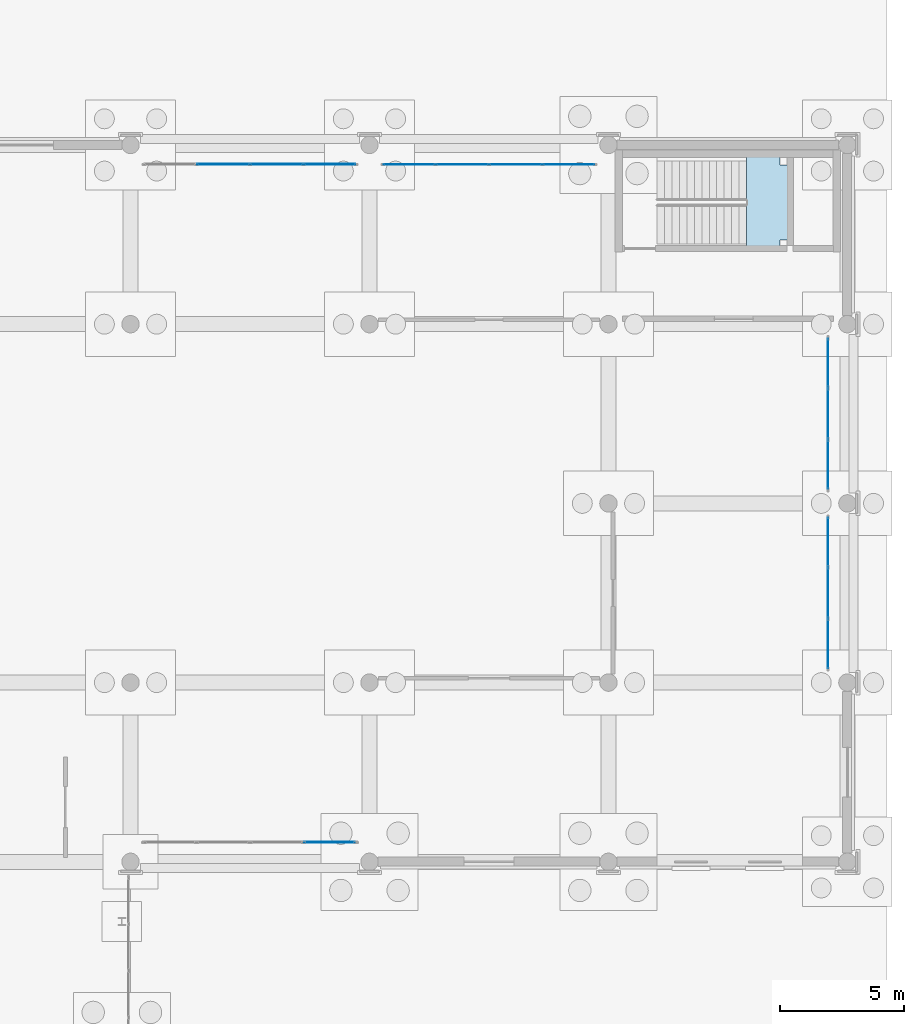
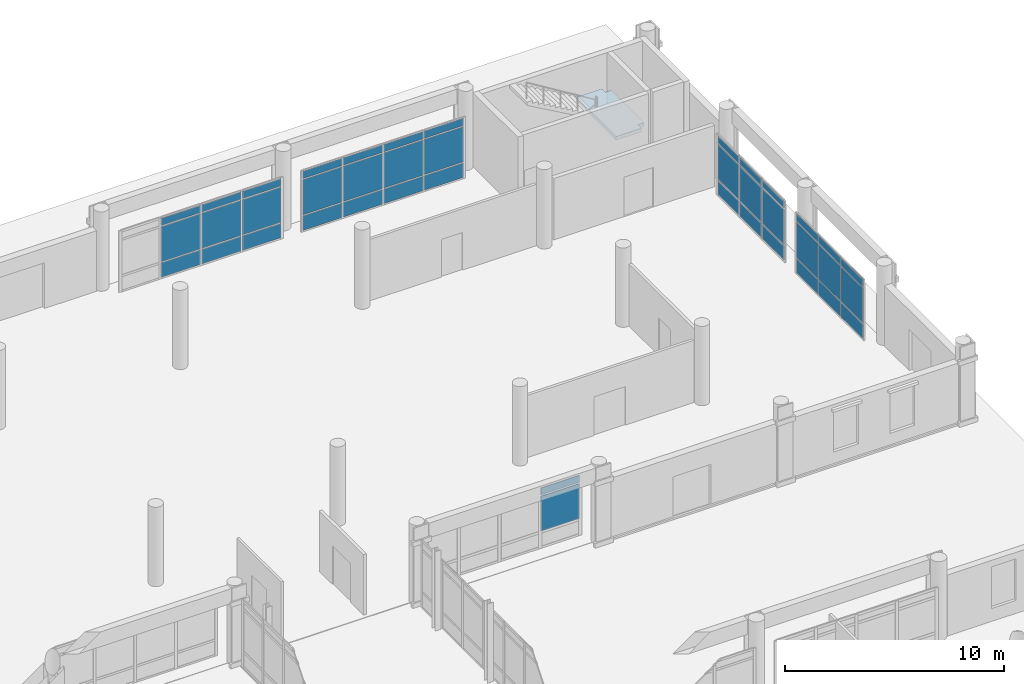
# One storey, part 157 of 196: 41 plates, 1 slab, 6 elements without a shape of their own.
"""IFC4 building model written with IfcOpenShell, lengths in metres."""

from ifc_helpers import new_model, si_unit, direction, frame, origin, origin_2d, place, context, subcontext, project, spatial, polyline, rectangle, outline, extrude, material, layer, layer_set, type_object, element, aggregate, save


model = new_model("IFC4")

# Units and contexts
model_context = context("Model", 3, precision=1e-05, world=origin(), true_north=direction((0.0, 1.0)))
body_context = subcontext(model_context, "Body", "Model", "MODEL_VIEW")
ifc_project = project(units=[si_unit("LENGTHUNIT", "METRE"), si_unit("AREAUNIT", "SQUARE_METRE"), si_unit("VOLUMEUNIT", "CUBIC_METRE"), si_unit("PLANEANGLEUNIT", "RADIAN"), si_unit("MASSUNIT", "GRAM", prefix="KILO")], contexts=[model_context])

# Site, building, storey
site_placement = place(None, origin())
site = spatial("IfcSite", under=ifc_project, at=site_placement, CompositionType="ELEMENT")
building_placement = place(site_placement, origin())
building = spatial("IfcBuilding", under=site, at=building_placement, Name="Asteropetra Specialist Clinic", CompositionType="ELEMENT")
storey_placement = place(building_placement, origin())
storey = spatial("IfcBuildingStorey", under=building, at=storey_placement, Name="L00", CompositionType="ELEMENT", Elevation=0.0)

# Curtain wall, plates
ifc_material_1 = material(Name="Aluminium and low-E glass", Category="aluminium")
ifc_layer_1 = layer(ifc_material_1, 0.14990234375)
ifc_layer_set_1 = layer_set([ifc_layer_1], Name="Aluminium and low-E glass")
curtain_wall_type_1 = type_object("IfcCurtainWallType", Name="CW-SYS-11", PredefinedType="USERDEFINED", material=ifc_layer_set_1)
curtain_wall_1_placement = place(storey_placement, origin())
curtain_wall_1 = element("IfcCurtainWall", 1, at=curtain_wall_1_placement, inside=storey, type_object=curtain_wall_type_1, Name="Curtain Wall CW-212", ObjectType="STICK GLAZED COLONNADE", PredefinedType="USERDEFINED")
ifc_material_2 = material(Name="Low-E double glazing", Category="glass")
ifc_layer_2 = layer(ifc_material_2, 0.028076171875)
ifc_layer_set_2 = layer_set([ifc_layer_2], Name="Low-E double glazing")
plate_type_1 = type_object("IfcPlateType", Name="CWP-GLZ-28", PredefinedType="CURTAIN_PANEL", material=ifc_layer_set_2)
plate_1_placement = place(storey_placement, frame((142.402587890625, 104.820068359375, 0.06005859375), z_axis=(0.0, 0.0, 1.0), x_axis=(-1.0, 0.0, 0.0)))
plate_1 = element("IfcPlate", 2, at=plate_1_placement, type_object=plate_type_1, Name="CW-212 panel 1.1", PredefinedType="CURTAIN_PANEL", context=body_context, shape_type="SweptSolid", body=[
    extrude(rectangle(XDim=2.054931640625, YDim=0.028076171875, at=origin_2d()), origin(), (0.0, 0.0, 1.0), 0.81005859375),
])
plate_2_placement = place(storey_placement, frame((142.402587890625, 104.820068359375, 0.929931640625), z_axis=(0.0, 0.0, 1.0), x_axis=(-1.0, 0.0, 0.0)))
plate_2 = element("IfcPlate", 3, at=plate_2_placement, type_object=plate_type_1, Name="CW-212 panel 1.2", PredefinedType="CURTAIN_PANEL", context=body_context, shape_type="SweptSolid", body=[
    extrude(rectangle(XDim=2.054931640625, YDim=0.028076171875, at=origin_2d()), origin(), (0.0, 0.0, 1.0), 1.9599609375),
])
plate_3_placement = place(storey_placement, frame((142.402587890625, 104.820068359375, 2.9501953125), z_axis=(0.0, 0.0, 1.0), x_axis=(-1.0, 0.0, 0.0)))
plate_3 = element("IfcPlate", 4, at=plate_3_placement, type_object=plate_type_1, Name="CW-212 panel 1.3", PredefinedType="CURTAIN_PANEL", context=body_context, shape_type="SweptSolid", body=[
    extrude(rectangle(XDim=2.054931640625, YDim=0.028076171875, at=origin_2d()), origin(), (0.0, 0.0, 1.0), 0.409912109375),
])
plate_4_placement = place(storey_placement, frame((140.2724609375, 104.820068359375, 0.06005859375), z_axis=(0.0, 0.0, 1.0), x_axis=(-1.0, 0.0, 0.0)))
plate_4 = element("IfcPlate", 5, at=plate_4_placement, type_object=plate_type_1, Name="CW-212 panel 2.1", PredefinedType="CURTAIN_PANEL", context=body_context, shape_type="SweptSolid", body=[
    extrude(rectangle(XDim=2.0849609375, YDim=0.028076171875, at=origin_2d()), origin(), (0.0, 0.0, 1.0), 0.81005859375),
])
plate_5_placement = place(storey_placement, frame((140.2724609375, 104.820068359375, 0.929931640625), z_axis=(0.0, 0.0, 1.0), x_axis=(-1.0, 0.0, 0.0)))
plate_5 = element("IfcPlate", 6, at=plate_5_placement, type_object=plate_type_1, Name="CW-212 panel 2.2", PredefinedType="CURTAIN_PANEL", context=body_context, shape_type="SweptSolid", body=[
    extrude(rectangle(XDim=2.0849609375, YDim=0.028076171875, at=origin_2d()), origin(), (0.0, 0.0, 1.0), 1.9599609375),
])
plate_6_placement = place(storey_placement, frame((140.2724609375, 104.820068359375, 2.9501953125), z_axis=(0.0, 0.0, 1.0), x_axis=(-1.0, 0.0, 0.0)))
plate_6 = element("IfcPlate", 7, at=plate_6_placement, type_object=plate_type_1, Name="CW-212 panel 2.3", PredefinedType="CURTAIN_PANEL", context=body_context, shape_type="SweptSolid", body=[
    extrude(rectangle(XDim=2.0849609375, YDim=0.028076171875, at=origin_2d()), origin(), (0.0, 0.0, 1.0), 0.409912109375),
])
plate_7_placement = place(storey_placement, frame((138.12744140625, 104.820068359375, 0.06005859375), z_axis=(0.0, 0.0, 1.0), x_axis=(-1.0, 0.0, 0.0)))
plate_7 = element("IfcPlate", 8, at=plate_7_placement, type_object=plate_type_1, Name="CW-212 panel 3.1", PredefinedType="CURTAIN_PANEL", context=body_context, shape_type="SweptSolid", body=[
    extrude(rectangle(XDim=2.0849609375, YDim=0.028076171875, at=origin_2d()), origin(), (0.0, 0.0, 1.0), 0.81005859375),
])
plate_8_placement = place(storey_placement, frame((138.12744140625, 104.820068359375, 0.929931640625), z_axis=(0.0, 0.0, 1.0), x_axis=(-1.0, 0.0, 0.0)))
plate_8 = element("IfcPlate", 9, at=plate_8_placement, type_object=plate_type_1, Name="CW-212 panel 3.2", PredefinedType="CURTAIN_PANEL", context=body_context, shape_type="SweptSolid", body=[
    extrude(rectangle(XDim=2.0849609375, YDim=0.028076171875, at=origin_2d()), origin(), (0.0, 0.0, 1.0), 1.9599609375),
])
plate_9_placement = place(storey_placement, frame((138.12744140625, 104.820068359375, 2.9501953125), z_axis=(0.0, 0.0, 1.0), x_axis=(-1.0, 0.0, 0.0)))
plate_9 = element("IfcPlate", 10, at=plate_9_placement, type_object=plate_type_1, Name="CW-212 panel 3.3", PredefinedType="CURTAIN_PANEL", context=body_context, shape_type="SweptSolid", body=[
    extrude(rectangle(XDim=2.0849609375, YDim=0.028076171875, at=origin_2d()), origin(), (0.0, 0.0, 1.0), 0.409912109375),
])
plate_10_placement = place(storey_placement, frame((135.99755859375, 104.820068359375, 0.06005859375), z_axis=(0.0, 0.0, 1.0), x_axis=(-1.0, 0.0, 0.0)))
plate_10 = element("IfcPlate", 11, at=plate_10_placement, type_object=plate_type_1, Name="CW-212 panel 4.1", PredefinedType="CURTAIN_PANEL", context=body_context, shape_type="SweptSolid", body=[
    extrude(rectangle(XDim=2.054931640625, YDim=0.028076171875, at=origin_2d()), origin(), (0.0, 0.0, 1.0), 0.81005859375),
])
plate_11_placement = place(storey_placement, frame((135.99755859375, 104.820068359375, 0.929931640625), z_axis=(0.0, 0.0, 1.0), x_axis=(-1.0, 0.0, 0.0)))
plate_11 = element("IfcPlate", 12, at=plate_11_placement, type_object=plate_type_1, Name="CW-212 panel 4.2", PredefinedType="CURTAIN_PANEL", context=body_context, shape_type="SweptSolid", body=[
    extrude(rectangle(XDim=2.054931640625, YDim=0.028076171875, at=origin_2d()), origin(), (0.0, 0.0, 1.0), 1.9599609375),
])
plate_12_placement = place(storey_placement, frame((135.99755859375, 104.820068359375, 2.9501953125), z_axis=(0.0, 0.0, 1.0), x_axis=(-1.0, 0.0, 0.0)))
plate_12 = element("IfcPlate", 13, at=plate_12_placement, type_object=plate_type_1, Name="CW-212 panel 4.3", PredefinedType="CURTAIN_PANEL", context=body_context, shape_type="SweptSolid", body=[
    extrude(rectangle(XDim=2.054931640625, YDim=0.028076171875, at=origin_2d()), origin(), (0.0, 0.0, 1.0), 0.409912109375),
])
aggregate(curtain_wall_1, [plate_1, plate_2, plate_3, plate_4, plate_5, plate_6, plate_7, plate_8, plate_9, plate_10, plate_11, plate_12])

ifc_material_3 = material(Name="Aluminium and low-E glass", Category="aluminium")
ifc_layer_3 = layer(ifc_material_3, 0.179931640625)
ifc_layer_set_3 = layer_set([ifc_layer_3], Name="Aluminium and low-E glass")
curtain_wall_type_2 = type_object("IfcCurtainWallType", Name="CW-SYS-01", PredefinedType="USERDEFINED", material=ifc_layer_set_3)
curtain_wall_2_placement = place(storey_placement, origin())
curtain_wall_2 = element("IfcCurtainWall", 14, at=curtain_wall_2_placement, inside=storey, type_object=curtain_wall_type_2, Name="Curtain Wall CW-216", ObjectType="UNITISED CURTAIN WALL", PredefinedType="USERDEFINED")
plate_13_placement = place(storey_placement, frame((152.820068359375, 92.7587890625, 0.074951171875), z_axis=(0.0, 0.0, 1.0), x_axis=(0.0, 1.0, 0.0)))
plate_13 = element("IfcPlate", 15, at=plate_13_placement, type_object=plate_type_1, Name="CW-216 panel 1.1", PredefinedType="CURTAIN_PANEL", context=body_context, shape_type="SweptSolid", body=[
    extrude(rectangle(XDim=1.947509765625, YDim=0.028076171875, at=origin_2d()), origin(), (0.0, 0.0, 1.0), 0.78759765625),
])
plate_14_placement = place(storey_placement, frame((152.820068359375, 92.7587890625, 0.9375), z_axis=(0.0, 0.0, 1.0), x_axis=(0.0, 1.0, 0.0)))
plate_14 = element("IfcPlate", 16, at=plate_14_placement, type_object=plate_type_1, Name="CW-216 panel 1.2", PredefinedType="CURTAIN_PANEL", context=body_context, shape_type="SweptSolid", body=[
    extrude(rectangle(XDim=1.947509765625, YDim=0.028076171875, at=origin_2d()), origin(), (0.0, 0.0, 1.0), 1.945068359375),
])
plate_15_placement = place(storey_placement, frame((152.820068359375, 92.7587890625, 2.95751953125), z_axis=(0.0, 0.0, 1.0), x_axis=(0.0, 1.0, 0.0)))
plate_15 = element("IfcPlate", 17, at=plate_15_placement, type_object=plate_type_1, Name="CW-216 panel 1.3", PredefinedType="CURTAIN_PANEL", context=body_context, shape_type="SweptSolid", body=[
    extrude(rectangle(XDim=1.947509765625, YDim=0.028076171875, at=origin_2d()), origin(), (0.0, 0.0, 1.0), 0.387451171875),
])
plate_16_placement = place(storey_placement, frame((152.820068359375, 94.800048828125, 0.074951171875), z_axis=(0.0, 0.0, 1.0), x_axis=(0.0, 1.0, 0.0)))
plate_16 = element("IfcPlate", 18, at=plate_16_placement, type_object=plate_type_1, Name="CW-216 panel 2.1", PredefinedType="CURTAIN_PANEL", context=body_context, shape_type="SweptSolid", body=[
    extrude(rectangle(XDim=1.985107421875, YDim=0.028076171875, at=origin_2d()), origin(), (0.0, 0.0, 1.0), 0.78759765625),
])
plate_17_placement = place(storey_placement, frame((152.820068359375, 94.800048828125, 0.9375), z_axis=(0.0, 0.0, 1.0), x_axis=(0.0, 1.0, 0.0)))
plate_17 = element("IfcPlate", 19, at=plate_17_placement, type_object=plate_type_1, Name="CW-216 panel 2.2", PredefinedType="CURTAIN_PANEL", context=body_context, shape_type="SweptSolid", body=[
    extrude(rectangle(XDim=1.985107421875, YDim=0.028076171875, at=origin_2d()), origin(), (0.0, 0.0, 1.0), 1.945068359375),
])
plate_18_placement = place(storey_placement, frame((152.820068359375, 94.800048828125, 2.95751953125), z_axis=(0.0, 0.0, 1.0), x_axis=(0.0, 1.0, 0.0)))
plate_18 = element("IfcPlate", 20, at=plate_18_placement, type_object=plate_type_1, Name="CW-216 panel 2.3", PredefinedType="CURTAIN_PANEL", context=body_context, shape_type="SweptSolid", body=[
    extrude(rectangle(XDim=1.985107421875, YDim=0.028076171875, at=origin_2d()), origin(), (0.0, 0.0, 1.0), 0.387451171875),
])
plate_19_placement = place(storey_placement, frame((152.820068359375, 96.84130859375, 0.074951171875), z_axis=(0.0, 0.0, 1.0), x_axis=(0.0, 1.0, 0.0)))
plate_19 = element("IfcPlate", 21, at=plate_19_placement, type_object=plate_type_1, Name="CW-216 panel 3.1", PredefinedType="CURTAIN_PANEL", context=body_context, shape_type="SweptSolid", body=[
    extrude(rectangle(XDim=1.947509765625, YDim=0.028076171875, at=origin_2d()), origin(), (0.0, 0.0, 1.0), 0.78759765625),
])
plate_20_placement = place(storey_placement, frame((152.820068359375, 96.84130859375, 0.9375), z_axis=(0.0, 0.0, 1.0), x_axis=(0.0, 1.0, 0.0)))
plate_20 = element("IfcPlate", 22, at=plate_20_placement, type_object=plate_type_1, Name="CW-216 panel 3.2", PredefinedType="CURTAIN_PANEL", context=body_context, shape_type="SweptSolid", body=[
    extrude(rectangle(XDim=1.947509765625, YDim=0.028076171875, at=origin_2d()), origin(), (0.0, 0.0, 1.0), 1.945068359375),
])
plate_21_placement = place(storey_placement, frame((152.820068359375, 96.84130859375, 2.95751953125), z_axis=(0.0, 0.0, 1.0), x_axis=(0.0, 1.0, 0.0)))
plate_21 = element("IfcPlate", 23, at=plate_21_placement, type_object=plate_type_1, Name="CW-216 panel 3.3", PredefinedType="CURTAIN_PANEL", context=body_context, shape_type="SweptSolid", body=[
    extrude(rectangle(XDim=1.947509765625, YDim=0.028076171875, at=origin_2d()), origin(), (0.0, 0.0, 1.0), 0.387451171875),
])
aggregate(curtain_wall_2, [plate_13, plate_14, plate_15, plate_16, plate_17, plate_18, plate_19, plate_20, plate_21])

ifc_material_4 = material(Name="Aluminium and low-E glass", Category="aluminium")
ifc_layer_4 = layer(ifc_material_4, 0.135009765625)
ifc_layer_set_4 = layer_set([ifc_layer_4], Name="Aluminium and low-E glass")
curtain_wall_type_3 = type_object("IfcCurtainWallType", Name="CW-SYS-09", PredefinedType="USERDEFINED", material=ifc_layer_set_4)
curtain_wall_3_placement = place(storey_placement, origin())
curtain_wall_3 = element("IfcCurtainWall", 24, at=curtain_wall_3_placement, inside=storey, type_object=curtain_wall_type_3, Name="Curtain Wall CW-210", ObjectType="STICK GLAZED COLONNADE", PredefinedType="USERDEFINED")
ifc_material_5 = material(Name="Solar-control triple glazing", Category="glass")
ifc_layer_5 = layer(ifc_material_5, 0.035888671875)
ifc_layer_set_5 = layer_set([ifc_layer_5], Name="Solar-control triple glazing")
plate_type_2 = type_object("IfcPlateType", Name="CWP-GLZ-36", PredefinedType="CURTAIN_PANEL", material=ifc_layer_set_5)
plate_22_placement = place(storey_placement, frame((132.798828125, 77.580078125, 0.9375), z_axis=(0.0, 0.0, 1.0), x_axis=(1.0, 0.0, 0.0)))
plate_22 = element("IfcPlate", 25, at=plate_22_placement, type_object=plate_type_2, Name="CW-210 panel 4.2", PredefinedType="CURTAIN_PANEL", context=body_context, shape_type="SweptSolid", body=[
    extrude(rectangle(XDim=2.032470703125, YDim=0.035888671875, at=origin_2d()), origin(), (0.0, 0.0, 1.0), 1.945068359375),
])
plate_23_placement = place(storey_placement, frame((132.798828125, 77.580078125, 2.95751953125), z_axis=(0.0, 0.0, 1.0), x_axis=(1.0, 0.0, 0.0)))
plate_23 = element("IfcPlate", 26, at=plate_23_placement, type_object=plate_type_2, Name="CW-210 panel 4.3", PredefinedType="CURTAIN_PANEL", context=body_context, shape_type="SweptSolid", body=[
    extrude(rectangle(XDim=2.032470703125, YDim=0.035888671875, at=origin_2d()), origin(), (0.0, 0.0, 1.0), 0.387451171875),
])
aggregate(curtain_wall_3, [plate_22, plate_23])

ifc_material_6 = material(Name="Aluminium and low-E glass", Category="aluminium")
ifc_layer_6 = layer(ifc_material_6, 0.179931640625)
ifc_layer_set_6 = layer_set([ifc_layer_6], Name="Aluminium and low-E glass")
curtain_wall_type_4 = type_object("IfcCurtainWallType", Name="CW-SYS-10", PredefinedType="USERDEFINED", material=ifc_layer_set_6)
curtain_wall_4_placement = place(storey_placement, origin())
curtain_wall_4 = element("IfcCurtainWall", 27, at=curtain_wall_4_placement, inside=storey, type_object=curtain_wall_type_4, Name="Curtain Wall CW-214", ObjectType="STICK GLAZED COLONNADE", PredefinedType="USERDEFINED")
plate_24_placement = place(storey_placement, frame((152.820068359375, 85.55615234375, 0.06494140625), z_axis=(0.0, 0.0, 1.0), x_axis=(0.0, 1.0, 0.0)))
plate_24 = element("IfcPlate", 28, at=plate_24_placement, type_object=plate_type_2, Name="CW-214 panel 1.1", PredefinedType="CURTAIN_PANEL", context=body_context, shape_type="SweptSolid", body=[
    extrude(rectangle(XDim=1.96240234375, YDim=0.035888671875, at=origin_2d()), origin(), (0.0, 0.0, 1.0), 0.802490234375),
])
plate_25_placement = place(storey_placement, frame((152.820068359375, 85.55615234375, 0.932373046875), z_axis=(0.0, 0.0, 1.0), x_axis=(0.0, 1.0, 0.0)))
plate_25 = element("IfcPlate", 29, at=plate_25_placement, type_object=plate_type_2, Name="CW-214 panel 1.2", PredefinedType="CURTAIN_PANEL", context=body_context, shape_type="SweptSolid", body=[
    extrude(rectangle(XDim=1.96240234375, YDim=0.035888671875, at=origin_2d()), origin(), (0.0, 0.0, 1.0), 1.955078125),
])
plate_26_placement = place(storey_placement, frame((152.820068359375, 85.55615234375, 2.95263671875), z_axis=(0.0, 0.0, 1.0), x_axis=(0.0, 1.0, 0.0)))
plate_26 = element("IfcPlate", 30, at=plate_26_placement, type_object=plate_type_2, Name="CW-214 panel 1.3", PredefinedType="CURTAIN_PANEL", context=body_context, shape_type="SweptSolid", body=[
    extrude(rectangle(XDim=1.96240234375, YDim=0.035888671875, at=origin_2d()), origin(), (0.0, 0.0, 1.0), 0.402587890625),
])
plate_27_placement = place(storey_placement, frame((152.820068359375, 87.60009765625, 0.06494140625), z_axis=(0.0, 0.0, 1.0), x_axis=(0.0, 1.0, 0.0)))
plate_27 = element("IfcPlate", 31, at=plate_27_placement, type_object=plate_type_2, Name="CW-214 panel 2.1", PredefinedType="CURTAIN_PANEL", context=body_context, shape_type="SweptSolid", body=[
    extrude(rectangle(XDim=1.9951171875, YDim=0.035888671875, at=origin_2d()), origin(), (0.0, 0.0, 1.0), 0.802490234375),
])
plate_28_placement = place(storey_placement, frame((152.820068359375, 87.60009765625, 0.932373046875), z_axis=(0.0, 0.0, 1.0), x_axis=(0.0, 1.0, 0.0)))
plate_28 = element("IfcPlate", 32, at=plate_28_placement, type_object=plate_type_2, Name="CW-214 panel 2.2", PredefinedType="CURTAIN_PANEL", context=body_context, shape_type="SweptSolid", body=[
    extrude(rectangle(XDim=1.9951171875, YDim=0.035888671875, at=origin_2d()), origin(), (0.0, 0.0, 1.0), 1.955078125),
])
plate_29_placement = place(storey_placement, frame((152.820068359375, 87.60009765625, 2.95263671875), z_axis=(0.0, 0.0, 1.0), x_axis=(0.0, 1.0, 0.0)))
plate_29 = element("IfcPlate", 33, at=plate_29_placement, type_object=plate_type_2, Name="CW-214 panel 2.3", PredefinedType="CURTAIN_PANEL", context=body_context, shape_type="SweptSolid", body=[
    extrude(rectangle(XDim=1.9951171875, YDim=0.035888671875, at=origin_2d()), origin(), (0.0, 0.0, 1.0), 0.402587890625),
])
plate_30_placement = place(storey_placement, frame((152.820068359375, 89.643798828125, 0.06494140625), z_axis=(0.0, 0.0, 1.0), x_axis=(0.0, 1.0, 0.0)))
plate_30 = element("IfcPlate", 34, at=plate_30_placement, type_object=plate_type_2, Name="CW-214 panel 3.1", PredefinedType="CURTAIN_PANEL", context=body_context, shape_type="SweptSolid", body=[
    extrude(rectangle(XDim=1.96240234375, YDim=0.035888671875, at=origin_2d()), origin(), (0.0, 0.0, 1.0), 0.802490234375),
])
plate_31_placement = place(storey_placement, frame((152.820068359375, 89.643798828125, 0.932373046875), z_axis=(0.0, 0.0, 1.0), x_axis=(0.0, 1.0, 0.0)))
plate_31 = element("IfcPlate", 35, at=plate_31_placement, type_object=plate_type_2, Name="CW-214 panel 3.2", PredefinedType="CURTAIN_PANEL", context=body_context, shape_type="SweptSolid", body=[
    extrude(rectangle(XDim=1.96240234375, YDim=0.035888671875, at=origin_2d()), origin(), (0.0, 0.0, 1.0), 1.955078125),
])
plate_32_placement = place(storey_placement, frame((152.820068359375, 89.643798828125, 2.95263671875), z_axis=(0.0, 0.0, 1.0), x_axis=(0.0, 1.0, 0.0)))
plate_32 = element("IfcPlate", 36, at=plate_32_placement, type_object=plate_type_2, Name="CW-214 panel 3.3", PredefinedType="CURTAIN_PANEL", context=body_context, shape_type="SweptSolid", body=[
    extrude(rectangle(XDim=1.96240234375, YDim=0.035888671875, at=origin_2d()), origin(), (0.0, 0.0, 1.0), 0.402587890625),
])
aggregate(curtain_wall_4, [plate_24, plate_25, plate_26, plate_27, plate_28, plate_29, plate_30, plate_31, plate_32])

curtain_wall_5_placement = place(storey_placement, origin())
curtain_wall_5 = element("IfcCurtainWall", 37, at=curtain_wall_5_placement, inside=storey, type_object=curtain_wall_type_3, Name="Curtain Wall CW-211", ObjectType="STICK GLAZED COLONNADE", PredefinedType="USERDEFINED")
ifc_material_7 = material(Name="Laminated skylight glazing", Category="glass")
ifc_layer_7 = layer(ifc_material_7, 0.0400390625)
ifc_layer_set_7 = layer_set([ifc_layer_7], Name="Laminated skylight glazing")
plate_type_3 = type_object("IfcPlateType", Name="CWP-GLZ-40", PredefinedType="CURTAIN_PANEL", material=ifc_layer_set_7)
plate_33_placement = place(storey_placement, frame((132.80126953125, 104.820068359375, 0.06494140625), z_axis=(0.0, 0.0, 1.0), x_axis=(-1.0, 0.0, 0.0)))
plate_33 = element("IfcPlate", 38, at=plate_33_placement, type_object=plate_type_3, Name="CW-211 panel 1.1", PredefinedType="CURTAIN_PANEL", context=body_context, shape_type="SweptSolid", body=[
    extrude(rectangle(XDim=2.047607421875, YDim=0.0400390625, at=origin_2d()), origin(), (0.0, 0.0, 1.0), 0.802490234375),
])
plate_34_placement = place(storey_placement, frame((132.80126953125, 104.820068359375, 0.932373046875), z_axis=(0.0, 0.0, 1.0), x_axis=(-1.0, 0.0, 0.0)))
plate_34 = element("IfcPlate", 39, at=plate_34_placement, type_object=plate_type_3, Name="CW-211 panel 1.2", PredefinedType="CURTAIN_PANEL", context=body_context, shape_type="SweptSolid", body=[
    extrude(rectangle(XDim=2.047607421875, YDim=0.0400390625, at=origin_2d()), origin(), (0.0, 0.0, 1.0), 1.955078125),
])
plate_35_placement = place(storey_placement, frame((132.80126953125, 104.820068359375, 2.95263671875), z_axis=(0.0, 0.0, 1.0), x_axis=(-1.0, 0.0, 0.0)))
plate_35 = element("IfcPlate", 40, at=plate_35_placement, type_object=plate_type_3, Name="CW-211 panel 1.3", PredefinedType="CURTAIN_PANEL", context=body_context, shape_type="SweptSolid", body=[
    extrude(rectangle(XDim=2.047607421875, YDim=0.0400390625, at=origin_2d()), origin(), (0.0, 0.0, 1.0), 0.402587890625),
])
plate_36_placement = place(storey_placement, frame((130.672607421875, 104.820068359375, 0.06494140625), z_axis=(0.0, 0.0, 1.0), x_axis=(-1.0, 0.0, 0.0)))
plate_36 = element("IfcPlate", 41, at=plate_36_placement, type_object=plate_type_3, Name="CW-211 panel 2.1", PredefinedType="CURTAIN_PANEL", context=body_context, shape_type="SweptSolid", body=[
    extrude(rectangle(XDim=2.080078125, YDim=0.0400390625, at=origin_2d()), origin(), (0.0, 0.0, 1.0), 0.802490234375),
])
plate_37_placement = place(storey_placement, frame((130.672607421875, 104.820068359375, 0.932373046875), z_axis=(0.0, 0.0, 1.0), x_axis=(-1.0, 0.0, 0.0)))
plate_37 = element("IfcPlate", 42, at=plate_37_placement, type_object=plate_type_3, Name="CW-211 panel 2.2", PredefinedType="CURTAIN_PANEL", context=body_context, shape_type="SweptSolid", body=[
    extrude(rectangle(XDim=2.080078125, YDim=0.0400390625, at=origin_2d()), origin(), (0.0, 0.0, 1.0), 1.955078125),
])
plate_38_placement = place(storey_placement, frame((130.672607421875, 104.820068359375, 2.95263671875), z_axis=(0.0, 0.0, 1.0), x_axis=(-1.0, 0.0, 0.0)))
plate_38 = element("IfcPlate", 43, at=plate_38_placement, type_object=plate_type_3, Name="CW-211 panel 2.3", PredefinedType="CURTAIN_PANEL", context=body_context, shape_type="SweptSolid", body=[
    extrude(rectangle(XDim=2.080078125, YDim=0.0400390625, at=origin_2d()), origin(), (0.0, 0.0, 1.0), 0.402587890625),
])
plate_39_placement = place(storey_placement, frame((128.527587890625, 104.820068359375, 0.06494140625), z_axis=(0.0, 0.0, 1.0), x_axis=(-1.0, 0.0, 0.0)))
plate_39 = element("IfcPlate", 44, at=plate_39_placement, type_object=plate_type_3, Name="CW-211 panel 3.1", PredefinedType="CURTAIN_PANEL", context=body_context, shape_type="SweptSolid", body=[
    extrude(rectangle(XDim=2.080078125, YDim=0.0400390625, at=origin_2d()), origin(), (0.0, 0.0, 1.0), 0.802490234375),
])
plate_40_placement = place(storey_placement, frame((128.527587890625, 104.820068359375, 0.932373046875), z_axis=(0.0, 0.0, 1.0), x_axis=(-1.0, 0.0, 0.0)))
plate_40 = element("IfcPlate", 45, at=plate_40_placement, type_object=plate_type_3, Name="CW-211 panel 3.2", PredefinedType="CURTAIN_PANEL", context=body_context, shape_type="SweptSolid", body=[
    extrude(rectangle(XDim=2.080078125, YDim=0.0400390625, at=origin_2d()), origin(), (0.0, 0.0, 1.0), 1.955078125),
])
plate_41_placement = place(storey_placement, frame((128.527587890625, 104.820068359375, 2.95263671875), z_axis=(0.0, 0.0, 1.0), x_axis=(-1.0, 0.0, 0.0)))
plate_41 = element("IfcPlate", 46, at=plate_41_placement, type_object=plate_type_3, Name="CW-211 panel 3.3", PredefinedType="CURTAIN_PANEL", context=body_context, shape_type="SweptSolid", body=[
    extrude(rectangle(XDim=2.080078125, YDim=0.0400390625, at=origin_2d()), origin(), (0.0, 0.0, 1.0), 0.402587890625),
])
aggregate(curtain_wall_5, [plate_33, plate_34, plate_35, plate_36, plate_37, plate_38, plate_39, plate_40, plate_41])

# Stair, slab
ifc_material_8 = material(Name="Concrete C35/45", Category="concrete")
stair_type = type_object("IfcStairType", Name="STR-DOG-160", PredefinedType="TWO_STRAIGHT_RUN_STAIR", material=ifc_material_8)
stair_placement = place(storey_placement, origin())
stair = element("IfcStair", 47, at=stair_placement, inside=storey, type_object=stair_type, Name="Type I Stair ST12-L00", PredefinedType="TWO_STRAIGHT_RUN_STAIR")
ifc_material_9 = material(Name="Concrete C35/45", Category="concrete")
ifc_layer_8 = layer(ifc_material_9, 0.199951171875)
ifc_layer_set_8 = layer_set([ifc_layer_8], Name="Concrete C35/45")
slab_type = type_object("IfcSlabType", Name="SLB-LND-200", PredefinedType="LANDING", material=ifc_layer_set_8)
slab_placement = place(storey_placement, frame((0.0, 0.0, 2.010009765625)))
slab = element("IfcSlab", 48, at=slab_placement, type_object=slab_type, Name="ST12-L00 landing 1", PredefinedType="LANDING", context=body_context, shape_type="SweptSolid", body=[
    extrude(outline(polyline([(149.550048828125, 101.469970703125), (150.89990234375, 101.469970703125), (150.89990234375, 101.7900390625), (151.219970703125, 101.7900390625), (151.219970703125, 104.7900390625), (150.89990234375, 104.7900390625), (150.89990234375, 105.110107421875), (149.550048828125, 105.110107421875), (149.550048828125, 101.469970703125)])), origin(), (0.0, 0.0, 1.0), 0.199951171875),
])
aggregate(stair, [slab])

save(model, "model.ifc")
